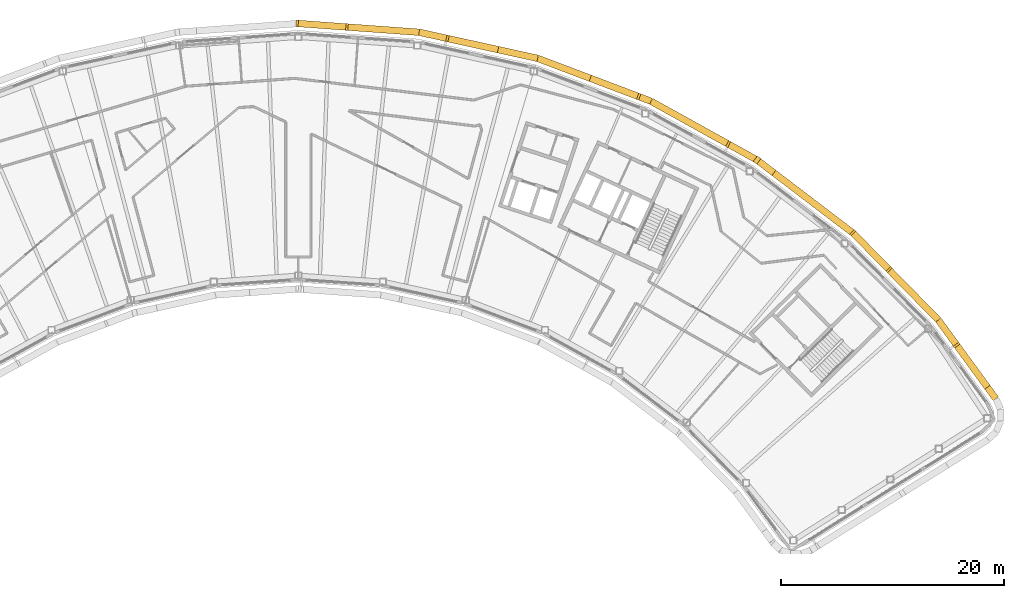
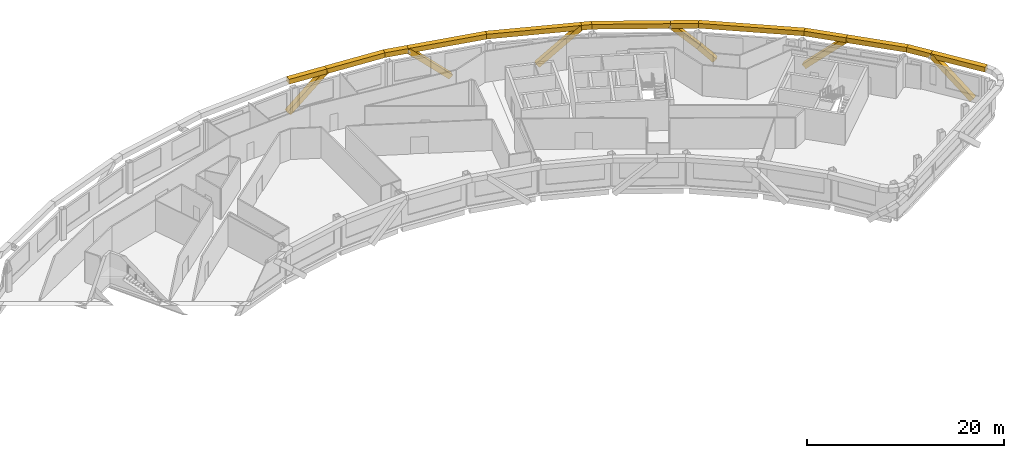
# One storey, part 16 of 17: 20 coverings.
"""IFC4 building model written with IfcOpenShell, lengths in metres."""

from ifc_helpers import new_model, si_unit, direction, frame, origin, origin_2d, place, context, subcontext, project, spatial, rectangle, extrude, material, material_profile, profile_set, type_object, element, save


model = new_model("IFC4")

# Units and contexts
model_context = context("Model", 3, precision=1e-05, world=origin(), true_north=direction((0.0, 1.0)))
body_context = subcontext(model_context, "Body", "Model", "MODEL_VIEW")
ifc_project = project(units=[si_unit("LENGTHUNIT", "METRE"), si_unit("AREAUNIT", "SQUARE_METRE"), si_unit("VOLUMEUNIT", "CUBIC_METRE"), si_unit("PLANEANGLEUNIT", "RADIAN"), si_unit("MASSUNIT", "GRAM", prefix="KILO")], contexts=[model_context])

# Site, building, storey
site_placement = place(None, origin())
site = spatial("IfcSite", under=ifc_project, at=site_placement, CompositionType="ELEMENT")
building_placement = place(site_placement, origin())
building = spatial("IfcBuilding", under=site, at=building_placement, Name="Tuul Gate Civic Tower", CompositionType="ELEMENT")
storey_placement = place(building_placement, frame((0.0, 0.0, 344.89990234375)))
storey = spatial("IfcBuildingStorey", under=building, at=storey_placement, Name="Level 78", CompositionType="ELEMENT", Elevation=344.89990234375)

# Coverings
ifc_material = material(Name="Terracotta baguette", Category="masonry")
ifc_material_profile = material_profile(ifc_material, rectangle(XDim=0.60009765625, YDim=0.60009765625, at=origin_2d()), Name="Terracotta baguette screen frame")
ifc_profile_set = profile_set([ifc_material_profile], Name="Terracotta baguette")
covering_type = type_object("IfcCoveringType", Name="Terracotta baguette screen frame", PredefinedType="CLADDING", material=ifc_profile_set)
covering_1_placement = place(storey_placement, frame((63.751708984375, -17.356689453125, -0.349853515625), z_axis=(-0.433780765032, 0.593957482972, 0.677531369244), x_axis=(-0.807562783626, -0.58978161255, 0.0)))
element("IfcCovering", 1, at=covering_1_placement, inside=storey, type_object=covering_type, Name="Baguette 20", PredefinedType="CLADDING", context=body_context, shape_type="SweptSolid", body=[
    extrude(rectangle(XDim=0.60009765625, YDim=0.60009765625, at=origin_2d()), origin(), (0.0, 0.0, 1.0), 6.198974609375),
])
covering_2_placement = place(storey_placement, frame((61.062744140625, -13.6748046875, 3.85009765625), z_axis=(-0.58975169847, 0.807584629715, 0.0), x_axis=(-0.807584629715, -0.58975169847, 0.0)))
element("IfcCovering", 2, at=covering_2_placement, inside=storey, type_object=covering_type, Name="Baguette 25", PredefinedType="CLADDING", context=body_context, shape_type="SweptSolid", body=[
    extrude(rectangle(XDim=0.60009765625, YDim=0.60009765625, at=origin_2d()), origin(), (0.0, 0.0, 1.0), 2.680908203125),
])
covering_3_placement = place(storey_placement, frame((59.481689453125, -11.509765625, 3.85009765625), z_axis=(-0.700039399016, 0.714104221963, 0.0), x_axis=(-0.714104221963, -0.700039399016, 0.0)))
element("IfcCovering", 3, at=covering_3_placement, inside=storey, type_object=covering_type, Name="Baguette 26", PredefinedType="CLADDING", context=body_context, shape_type="SweptSolid", body=[
    extrude(rectangle(XDim=0.60009765625, YDim=0.60009765625, at=origin_2d()), origin(), (0.0, 0.0, 1.0), 6.4052734375),
])
covering_4_placement = place(storey_placement, frame((54.997802734375, -6.935791015625, 3.85009765625), z_axis=(-0.513694474936, 0.523969976278, -0.679391971088), x_axis=(-0.714073915719, -0.700070312819, 0.0)))
element("IfcCovering", 4, at=covering_4_placement, inside=storey, type_object=covering_type, Name="Baguette 29", PredefinedType="CLADDING", context=body_context, shape_type="SweptSolid", body=[
    extrude(rectangle(XDim=0.60009765625, YDim=0.60009765625, at=origin_2d()), origin(), (0.0, 0.0, 1.0), 6.05859375),
])
covering_5_placement = place(storey_placement, frame((44.595458984375, 1.789794921875, -0.349853515625), z_axis=(-0.583807626015, 0.444487485529, 0.679411164918), x_axis=(-0.605768691074, -0.795640806467, 0.0)))
element("IfcCovering", 5, at=covering_5_placement, inside=storey, type_object=covering_type, Name="Baguette 43", PredefinedType="CLADDING", context=body_context, shape_type="SweptSolid", body=[
    extrude(rectangle(XDim=0.60009765625, YDim=0.60009765625, at=origin_2d()), origin(), (0.0, 0.0, 1.0), 2.30078125),
])
covering_6_placement = place(storey_placement, frame((43.252197265625, 2.8125, 1.21337890625), z_axis=(-0.641797706076, 0.355778479424, 0.679350703285), x_axis=(-0.484834849005, -0.874605722135, 0.0)))
element("IfcCovering", 6, at=covering_6_placement, inside=storey, type_object=covering_type, Name="Baguette 44", PredefinedType="CLADDING", context=body_context, shape_type="SweptSolid", body=[
    extrude(rectangle(XDim=0.60009765625, YDim=0.60009765625, at=origin_2d()), origin(), (0.0, 0.0, 1.0), 3.88134765625),
])
covering_7_placement = place(storey_placement, frame((40.76123046875, 4.193359375, 3.85009765625), z_axis=(-0.874641739175, 0.484769871272, 0.0), x_axis=(-0.484769871272, -0.874641739175, 0.0)))
element("IfcCovering", 7, at=covering_7_placement, inside=storey, type_object=covering_type, Name="Baguette 49", PredefinedType="CLADDING", context=body_context, shape_type="SweptSolid", body=[
    extrude(rectangle(XDim=0.60009765625, YDim=0.60009765625, at=origin_2d()), origin(), (0.0, 0.0, 1.0), 8.003662109375),
])
covering_8_placement = place(storey_placement, frame((33.760986328125, 8.0732421875, 3.85009765625), z_axis=(-0.935320988118, 0.353800295628, 0.0), x_axis=(-0.353800295628, -0.935320988118, 0.0)))
element("IfcCovering", 8, at=covering_8_placement, inside=storey, type_object=covering_type, Name="Baguette 50", PredefinedType="CLADDING", context=body_context, shape_type="SweptSolid", body=[
    extrude(rectangle(XDim=0.60009765625, YDim=0.60009765625, at=origin_2d()), origin(), (0.0, 0.0, 1.0), 1.06884765625),
])
for number, where, z_axis, x_axis, name in (
    (9, (32.76123046875, 8.451416015625, 3.85009765625), (-0.686341416792, 0.259545186211, -0.679390724039), (-0.353711403676, -0.935354608108, 0.0), "Baguette 52"),
    (10, (19.874755859375, 12.735107421875, -0.349853515625), (-0.716585909211, 0.157929294623, 0.679384259915), (-0.215226248943, -0.976564212823, 0.0), "Baguette 62"),
):
    element("IfcCovering", number, at=place(storey_placement, frame(where, z_axis=z_axis, x_axis=x_axis)), inside=storey, type_object=covering_type, Name=name, PredefinedType="CLADDING", context=body_context, shape_type="SweptSolid", body=[
        extrude(rectangle(XDim=0.60009765625, YDim=0.60009765625, at=origin_2d()), origin(), (0.0, 0.0, 1.0), 6.181884765625),
    ])
covering_9_placement = place(storey_placement, frame((15.44482421875, 13.71142578125, 3.85009765625), z_axis=(-0.976564116236, 0.215226687194, 0.0), x_axis=(-0.215226687194, -0.976564116236, 0.0)))
element("IfcCovering", 11, at=covering_9_placement, inside=storey, type_object=covering_type, Name="Baguette 67", PredefinedType="CLADDING", context=body_context, shape_type="SweptSolid", body=[
    extrude(rectangle(XDim=0.60009765625, YDim=0.60009765625, at=origin_2d()), origin(), (0.0, 0.0, 1.0), 2.48876953125),
])
covering_10_placement = place(storey_placement, frame((13.014404296875, 14.2470703125, 3.85009765625), z_axis=(-0.997387429725, 0.072237905752, 0.0), x_axis=(-0.072237905752, -0.997387429725, 0.0)))
element("IfcCovering", 12, at=covering_10_placement, inside=storey, type_object=covering_type, Name="Baguette 68", PredefinedType="CLADDING", context=body_context, shape_type="SweptSolid", body=[
    extrude(rectangle(XDim=0.60009765625, YDim=0.60009765625, at=origin_2d()), origin(), (0.0, 0.0, 1.0), 6.58349609375),
])
covering_11_placement = place(storey_placement, frame((6.447998046875, 14.72265625, 3.85009765625), z_axis=(-0.73188372731, 0.053024100705, -0.679363418535), x_axis=(-0.072259413527, -0.997385871745, 0.0)))
element("IfcCovering", 13, at=covering_11_placement, inside=storey, type_object=covering_type, Name="Baguette 71", PredefinedType="CLADDING", context=body_context, shape_type="SweptSolid", body=[
    extrude(rectangle(XDim=0.60009765625, YDim=0.60009765625, at=origin_2d()), origin(), (0.0, 0.0, 1.0), 5.815185546875),
])
covering_12_placement = place(storey_placement, frame((54.997802734375, -6.935791015625, 3.85009765625), z_axis=(-0.700070312819, 0.714073915719, 0.0), x_axis=(-0.714073915719, -0.700070312819, 0.0)))
element("IfcCovering", 14, at=covering_12_placement, inside=storey, type_object=covering_type, Name="Baguette 419", PredefinedType="CLADDING", context=body_context, shape_type="SweptSolid", body=[
    extrude(rectangle(XDim=0.60009765625, YDim=0.60009765625, at=origin_2d()), origin(), (0.0, 0.0, 1.0), 4.44580078125),
])
covering_13_placement = place(storey_placement, frame((51.885498046875, -3.76123046875, 3.85009765625), z_axis=(-0.79561038643, 0.605808643884, 0.0), x_axis=(-0.605808643884, -0.79561038643, 0.0)))
element("IfcCovering", 15, at=covering_13_placement, inside=storey, type_object=covering_type, Name="Baguette 420", PredefinedType="CLADDING", context=body_context, shape_type="SweptSolid", body=[
    extrude(rectangle(XDim=0.60009765625, YDim=0.60009765625, at=origin_2d()), origin(), (0.0, 0.0, 1.0), 10.85107421875),
])
covering_14_placement = place(storey_placement, frame((43.252197265625, 2.8125, 3.85009765625), z_axis=(-0.874605722135, 0.484834849005, 0.0), x_axis=(-0.484834849005, -0.874605722135, 0.0)))
element("IfcCovering", 16, at=covering_14_placement, inside=storey, type_object=covering_type, Name="Baguette 421", PredefinedType="CLADDING", context=body_context, shape_type="SweptSolid", body=[
    extrude(rectangle(XDim=0.60009765625, YDim=0.60009765625, at=origin_2d()), origin(), (0.0, 0.0, 1.0), 2.84814453125),
])
covering_15_placement = place(storey_placement, frame((32.76123046875, 8.451416015625, 3.85009765625), z_axis=(-0.935348087792, 0.353728645523, 0.0), x_axis=(-0.353728645523, -0.935348087792, 0.0)))
element("IfcCovering", 17, at=covering_15_placement, inside=storey, type_object=covering_type, Name="Baguette 422", PredefinedType="CLADDING", context=body_context, shape_type="SweptSolid", body=[
    extrude(rectangle(XDim=0.60009765625, YDim=0.60009765625, at=origin_2d()), origin(), (0.0, 0.0, 1.0), 9.781982421875),
])
covering_16_placement = place(storey_placement, frame((23.611572265625, 11.91162109375, 3.85009765625), z_axis=(-0.976566109565, 0.215217642513, 0.0), x_axis=(-0.215217642513, -0.976566109565, 0.0)))
element("IfcCovering", 18, at=covering_16_placement, inside=storey, type_object=covering_type, Name="Baguette 423", PredefinedType="CLADDING", context=body_context, shape_type="SweptSolid", body=[
    extrude(rectangle(XDim=0.60009765625, YDim=0.60009765625, at=origin_2d()), origin(), (0.0, 0.0, 1.0), 8.36279296875),
])
covering_17_placement = place(storey_placement, frame((6.447998046875, 14.72265625, 3.85009765625), z_axis=(-0.997385871745, 0.072259413527, 0.0), x_axis=(-0.072259413527, -0.997385871745, 0.0)))
element("IfcCovering", 19, at=covering_17_placement, inside=storey, type_object=covering_type, Name="Baguette 424", PredefinedType="CLADDING", context=body_context, shape_type="SweptSolid", body=[
    extrude(rectangle(XDim=0.60009765625, YDim=0.60009765625, at=origin_2d()), origin(), (0.0, 0.0, 1.0), 4.267333984375),
])
covering_18_placement = place(storey_placement, frame((64.633056640625, -18.563720703125, 3.85009765625), z_axis=(-0.589762767283, 0.80757654642, 0.0), x_axis=(-0.80757654642, -0.589762767283, 0.0)))
element("IfcCovering", 20, at=covering_18_placement, inside=storey, type_object=covering_type, Name="Baguette 456", PredefinedType="CLADDING", context=body_context, shape_type="SweptSolid", body=[
    extrude(rectangle(XDim=0.60009765625, YDim=0.60009765625, at=origin_2d()), origin(), (0.0, 0.0, 1.0), 6.0537109375),
])

save(model, "model.ifc")
